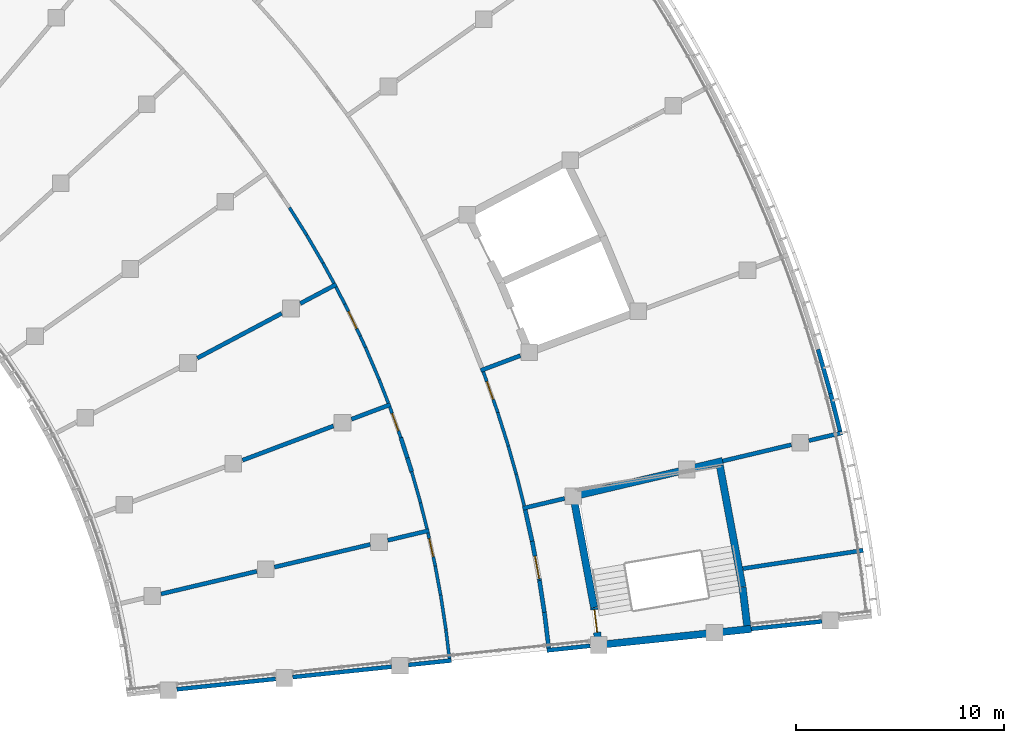
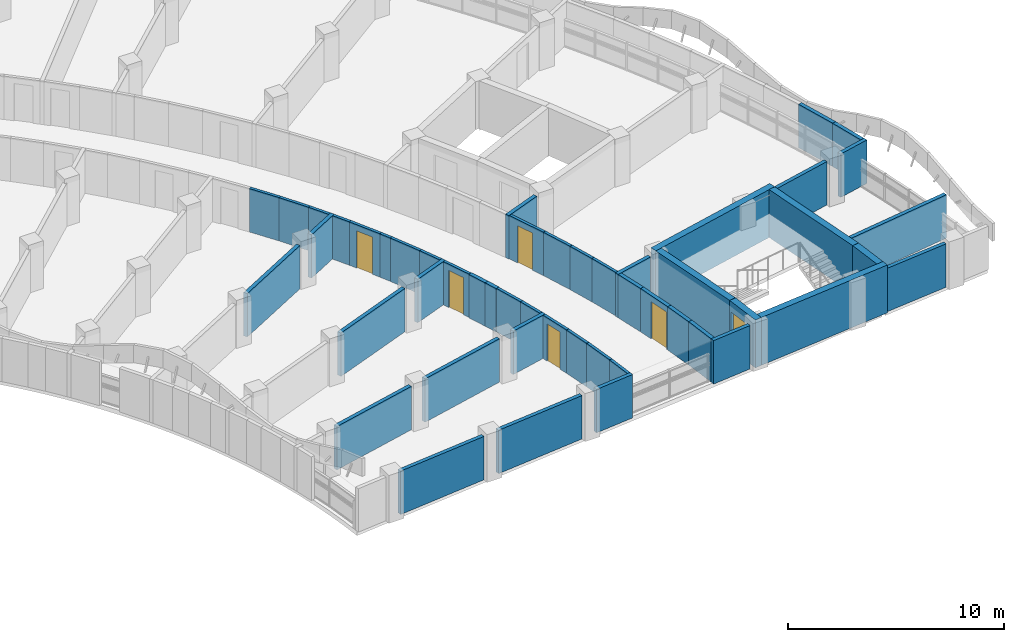
# One storey, part 52 of 89: 50 walls, 6 doors, 6 openings.
"""IFC4 building model written with IfcOpenShell, lengths in metres."""

from ifc_helpers import new_model, si_unit, direction, frame, frame_2d, origin, place, context, subcontext, project, spatial, rectangle, extrude, material, layer, layer_set, type_object, element, fill, save


model = new_model("IFC4")

# Units and contexts
model_context = context("Model", 3, precision=1e-05, world=origin(), true_north=direction((0.0, 1.0)))
body_context = subcontext(model_context, "Body", "Model", "MODEL_VIEW")
ifc_project = project(units=[si_unit("LENGTHUNIT", "METRE"), si_unit("AREAUNIT", "SQUARE_METRE"), si_unit("VOLUMEUNIT", "CUBIC_METRE"), si_unit("PLANEANGLEUNIT", "RADIAN"), si_unit("MASSUNIT", "GRAM", prefix="KILO")], contexts=[model_context])

# Site, building, storey
site_placement = place(None, origin())
site = spatial("IfcSite", under=ifc_project, at=site_placement, CompositionType="ELEMENT")
building_placement = place(site_placement, origin())
building = spatial("IfcBuilding", under=site, at=building_placement, Name="Bougainvillea Quay General Hospital", CompositionType="ELEMENT")
storey_placement = place(building_placement, frame((0.0, 0.0, 9.89990234375)))
storey = spatial("IfcBuildingStorey", under=building, at=storey_placement, Name="L01M", CompositionType="ELEMENT", Elevation=9.89990234375)

# Wall, opening, door
ifc_material_1 = material(Name="Gypsum board partition on steel studs, insulated", Category="steel")
ifc_layer_1 = layer(ifc_material_1, 0.14990234375)
ifc_layer_set_1 = layer_set([ifc_layer_1], Name="Gypsum board partition on steel studs, insulated")
wall_type_1 = type_object("IfcWallType", Name="Partition 150 Gypsum board partition EI 60", PredefinedType="PARTITIONING", material=ifc_layer_set_1)
wall_1_placement = place(storey_placement, frame((160.146240234375, 41.068115234375, 0.0), z_axis=(0.0, 0.0, 1.0), x_axis=(0.334170983673, -0.942512468708, 0.0)))
wall_1 = element("IfcWall", 1, at=wall_1_placement, inside=storey, type_object=wall_type_1, Name="Partition 150 mm EI 60", PredefinedType="PARTITIONING", context=body_context, shape_type="SweptSolid", body=[
    extrude(rectangle(XDim=2.079345703125, YDim=0.14990234375, at=frame_2d((1.03955078125, 0.0))), origin(), (0.0, 0.0, 1.0), 2.4501953125),
])
opening_1_placement = place(wall_1_placement, frame((0.5009765625, 0.0, 0.0)))
opening_1 = element("IfcOpeningElement", 2, at=opening_1_placement, cuts=wall_1, Name="Opening L01M.192", PredefinedType="OPENING", context=body_context, shape_type="SweptSolid", body=[
    extrude(rectangle(XDim=0.89990234375, YDim=2.10009765625, at=frame_2d((0.449951171875, 1.050048828125))), frame((0.0, 0.0849609375, 0.0), z_axis=(0.0, -1.0, 0.0), x_axis=(1.0, 0.0, 0.0)), (0.0, 0.0, 1.0), 0.169921875),
])
ifc_material_2 = material(Name="Solid-core timber door leaf in steel frame", Category="steel")
door_type_1 = type_object("IfcDoorType", Name="Single leaf door 900x2100 FD30S", OperationType="NOTDEFINED", PredefinedType="DOOR", material=ifc_material_2)
door_1_placement = place(opening_1_placement, origin())
door_1 = element("IfcDoor", 3, at=door_1_placement, inside=storey, type_object=door_type_1, Name="DT16 L01M.192", OperationType="SINGLE_SWING_LEFT", OverallHeight=2.10009765625, OverallWidth=0.89990234375, PredefinedType="DOOR", context=body_context, shape_type="SweptSolid", body=[
    extrude(rectangle(XDim=0.89990234375, YDim=2.10009765625, at=frame_2d((0.449951171875, 1.050048828125))), frame((0.0, 0.02490234375, 0.0), z_axis=(0.0, -1.0, 0.0), x_axis=(1.0, 0.0, 0.0)), (0.0, 0.0, 1.0), 0.050048828125),
])
fill(opening_1, door_1)

wall_2_placement = place(storey_placement, frame((155.650146484375, 39.376708984375, 0.0), z_axis=(0.0, 0.0, 1.0), x_axis=(0.336917703626, -0.941534099745, 0.0)))
wall_2 = element("IfcWall", 4, at=wall_2_placement, inside=storey, type_object=wall_type_1, Name="Partition 150 mm EI 60", PredefinedType="PARTITIONING", context=body_context, shape_type="SweptSolid", body=[
    extrude(rectangle(XDim=1.569580078125, YDim=0.14990234375, at=frame_2d((0.78466796875, 0.0))), origin(), (0.0, 0.0, 1.0), 2.4501953125),
])
opening_2_placement = place(wall_2_placement, frame((0.322998046875, 0.0, 0.0)))
opening_2 = element("IfcOpeningElement", 5, at=opening_2_placement, cuts=wall_2, Name="Opening L01M.199", PredefinedType="OPENING", context=body_context, shape_type="SweptSolid", body=[
    extrude(rectangle(XDim=0.89990234375, YDim=2.10009765625, at=frame_2d((0.449951171875, 1.050048828125))), frame((0.0, 0.0849609375, 0.0), z_axis=(0.0, -1.0, 0.0), x_axis=(1.0, 0.0, 0.0)), (0.0, 0.0, 1.0), 0.169921875),
])
door_2_placement = place(opening_2_placement, frame((0.89990234375, 0.0, 0.0), z_axis=(0.0, 0.0, 1.0), x_axis=(-1.0, 0.0, 0.0)))
door_2 = element("IfcDoor", 6, at=door_2_placement, inside=storey, type_object=door_type_1, Name="DT16 L01M.199", OperationType="SINGLE_SWING_RIGHT", OverallHeight=2.10009765625, OverallWidth=0.89990234375, PredefinedType="DOOR", context=body_context, shape_type="SweptSolid", body=[
    extrude(rectangle(XDim=0.89990234375, YDim=2.10009765625, at=frame_2d((0.449951171875, 1.050048828125))), frame((0.0, 0.02490234375, 0.0), z_axis=(0.0, -1.0, 0.0), x_axis=(1.0, 0.0, 0.0)), (0.0, 0.0, 1.0), 0.050048828125),
])
fill(opening_2, door_2)

# Wall
wall_3_placement = place(storey_placement, frame((160.837890625, 39.10986328125, 0.0), z_axis=(0.0, 0.0, 1.0), x_axis=(0.301408761049, -0.953495022935, 0.0)))
element("IfcWall", 7, at=wall_3_placement, inside=storey, type_object=wall_type_1, Name="Partition 150 mm EI 60", PredefinedType="PARTITIONING", context=body_context, shape_type="SweptSolid", body=[
    extrude(rectangle(XDim=1.684814453125, YDim=0.14990234375, at=frame_2d((0.84228515625, 0.0))), origin(), (0.0, 0.0, 1.0), 2.4501953125),
])

# Wall, opening, door
wall_4_placement = place(storey_placement, frame((157.48583984375, 33.32421875, 0.0), z_axis=(0.0, 0.0, 1.0), x_axis=(0.215136333434, -0.976584025078, 0.0)))
wall_4 = element("IfcWall", 8, at=wall_4_placement, inside=storey, type_object=wall_type_1, Name="Partition 150 mm EI 60", PredefinedType="PARTITIONING", context=body_context, shape_type="SweptSolid", body=[
    extrude(rectangle(XDim=1.62841796875, YDim=0.14990234375, at=frame_2d((0.814208984375, 0.0))), origin(), (0.0, 0.0, 1.0), 2.4501953125),
])
opening_3_placement = place(wall_4_placement, frame((0.276123046875, 0.0, 0.0)))
opening_3 = element("IfcOpeningElement", 9, at=opening_3_placement, cuts=wall_4, Name="Opening L01M.200", PredefinedType="OPENING", context=body_context, shape_type="SweptSolid", body=[
    extrude(rectangle(XDim=0.89990234375, YDim=2.10009765625, at=frame_2d((0.449951171875, 1.050048828125))), frame((0.0, 0.0849609375, 0.0), z_axis=(0.0, -1.0, 0.0), x_axis=(1.0, 0.0, 0.0)), (0.0, 0.0, 1.0), 0.169921875),
])
door_3_placement = place(opening_3_placement, frame((0.89990234375, 0.0, 0.0), z_axis=(0.0, 0.0, 1.0), x_axis=(-1.0, 0.0, 0.0)))
door_3 = element("IfcDoor", 10, at=door_3_placement, inside=storey, type_object=door_type_1, Name="DT16 L01M.200", OperationType="SINGLE_SWING_RIGHT", OverallHeight=2.10009765625, OverallWidth=0.89990234375, PredefinedType="DOOR", context=body_context, shape_type="SweptSolid", body=[
    extrude(rectangle(XDim=0.89990234375, YDim=2.10009765625, at=frame_2d((0.449951171875, 1.050048828125))), frame((0.0, 0.02490234375, 0.0), z_axis=(0.0, -1.0, 0.0), x_axis=(1.0, 0.0, 0.0)), (0.0, 0.0, 1.0), 0.050048828125),
])
fill(opening_3, door_3)

# Wall
wall_5_placement = place(storey_placement, frame((161.724609375, 36.15771484375, 0.0), z_axis=(0.0, 0.0, 1.0), x_axis=(0.245410822726, -0.969419170477, 0.0)))
element("IfcWall", 11, at=wall_5_placement, inside=storey, type_object=wall_type_1, Name="Partition 150 mm EI 60", PredefinedType="PARTITIONING", context=body_context, shape_type="SweptSolid", body=[
    extrude(rectangle(XDim=1.577880859375, YDim=0.14990234375, at=frame_2d((0.7890625, 0.0))), origin(), (0.0, 0.0, 1.0), 2.4501953125),
])

# Wall, opening, door
wall_6_placement = place(storey_placement, frame((153.486328125, 44.326416015625, 0.0), z_axis=(0.0, 0.0, 1.0), x_axis=(0.434737103628, -0.900557411123, 0.0)))
wall_6 = element("IfcWall", 12, at=wall_6_placement, inside=storey, type_object=wall_type_1, Name="Partition 150 mm EI 60", PredefinedType="PARTITIONING", context=body_context, shape_type="SweptSolid", body=[
    extrude(rectangle(XDim=1.712158203125, YDim=0.14990234375, at=frame_2d((0.85595703125, 0.0))), origin(), (0.0, 0.0, 1.0), 2.4501953125),
])
opening_4_placement = place(wall_6_placement, frame((0.406005859375, 0.0, 0.0)))
opening_4 = element("IfcOpeningElement", 13, at=opening_4_placement, cuts=wall_6, Name="Opening L01M.198", PredefinedType="OPENING", context=body_context, shape_type="SweptSolid", body=[
    extrude(rectangle(XDim=0.89990234375, YDim=2.10009765625, at=frame_2d((0.449951171875, 1.050048828125))), frame((0.0, 0.0849609375, 0.0), z_axis=(0.0, -1.0, 0.0), x_axis=(1.0, 0.0, 0.0)), (0.0, 0.0, 1.0), 0.169921875),
])
door_4_placement = place(opening_4_placement, frame((0.89990234375, 0.0, 0.0), z_axis=(0.0, 0.0, 1.0), x_axis=(-1.0, 0.0, 0.0)))
door_4 = element("IfcDoor", 14, at=door_4_placement, inside=storey, type_object=door_type_1, Name="DT16 L01M.198", OperationType="SINGLE_SWING_RIGHT", OverallHeight=2.10009765625, OverallWidth=0.89990234375, PredefinedType="DOOR", context=body_context, shape_type="SweptSolid", body=[
    extrude(rectangle(XDim=0.89990234375, YDim=2.10009765625, at=frame_2d((0.449951171875, 1.050048828125))), frame((0.0, 0.02490234375, 0.0), z_axis=(0.0, -1.0, 0.0), x_axis=(1.0, 0.0, 0.0)), (0.0, 0.0, 1.0), 0.050048828125),
])
fill(opening_4, door_4)

# Walls
wall_7_placement = place(storey_placement, frame((150.823486328125, 48.964599609375, 0.0), z_axis=(0.0, 0.0, 1.0), x_axis=(0.532033938753, -0.846723029104, 0.0)))
element("IfcWall", 15, at=wall_7_placement, inside=storey, type_object=wall_type_1, Name="Partition 150 mm EI 60", PredefinedType="PARTITIONING", context=body_context, shape_type="SweptSolid", body=[
    extrude(rectangle(XDim=1.5625, YDim=0.14990234375, at=frame_2d((0.78125, 0.0))), origin(), (0.0, 0.0, 1.0), 2.4501953125),
])
wall_8_placement = place(storey_placement, frame((151.651611328125, 47.64208984375, 0.0), z_axis=(0.0, 0.0, 1.0), x_axis=(0.504852542481, -0.863205601436, 0.0)))
element("IfcWall", 16, at=wall_8_placement, inside=storey, type_object=wall_type_1, Name="Partition 150 mm EI 60", PredefinedType="PARTITIONING", context=body_context, shape_type="SweptSolid", body=[
    extrude(rectangle(XDim=1.5615234375, YDim=0.14990234375, at=frame_2d((0.78076171875, 0.0))), origin(), (0.0, 0.0, 1.0), 2.4501953125),
])
wall_9_placement = place(storey_placement, frame((154.4755859375, 42.2509765625, 0.0), z_axis=(0.0, 0.0, 1.0), x_axis=(0.39252246645, -0.919742416839, 0.0)))
element("IfcWall", 17, at=wall_9_placement, inside=storey, type_object=wall_type_1, Name="Partition 150 mm EI 60", PredefinedType="PARTITIONING", context=body_context, shape_type="SweptSolid", body=[
    extrude(rectangle(XDim=1.709228515625, YDim=0.14990234375, at=frame_2d((0.8544921875, 0.0))), origin(), (0.0, 0.0, 1.0), 2.4501953125),
])
wall_10_placement = place(storey_placement, frame((158.092529296875, 30.34912109375, 0.0), z_axis=(0.0, 0.0, 1.0), x_axis=(0.15143450376, -0.98846729388, 0.0)))
element("IfcWall", 18, at=wall_10_placement, inside=storey, type_object=wall_type_1, Name="Partition 150 mm EI 60", PredefinedType="PARTITIONING", context=body_context, shape_type="SweptSolid", body=[
    extrude(rectangle(XDim=1.708984375, YDim=0.14990234375, at=frame_2d((0.8544921875, 0.0))), origin(), (0.0, 0.0, 1.0), 2.4501953125),
])
wall_11_placement = place(storey_placement, frame((156.7001953125, 36.266845703125, 0.0), z_axis=(0.0, 0.0, 1.0), x_axis=(0.27461755622, -0.961553533515, 0.0)))
element("IfcWall", 19, at=wall_11_placement, inside=storey, type_object=wall_type_1, Name="Partition 150 mm EI 60", PredefinedType="PARTITIONING", context=body_context, shape_type="SweptSolid", body=[
    extrude(rectangle(XDim=1.556640625, YDim=0.14990234375, at=frame_2d((0.7783203125, 0.0))), origin(), (0.0, 0.0, 1.0), 2.4501953125),
])
wall_12_placement = place(storey_placement, frame((157.833251953125, 31.735595703125, 0.0), z_axis=(0.0, 0.0, 1.0), x_axis=(0.182305830885, -0.98324187463, 0.0)))
element("IfcWall", 20, at=wall_12_placement, inside=storey, type_object=wall_type_1, Name="Partition 150 mm EI 60", PredefinedType="PARTITIONING", context=body_context, shape_type="SweptSolid", body=[
    extrude(rectangle(XDim=1.412841796875, YDim=0.14990234375, at=frame_2d((0.70654296875, 0.0))), origin(), (0.0, 0.0, 1.0), 2.4501953125),
])
wall_13_placement = place(storey_placement, frame((158.348876953125, 28.661865234375, 0.0), z_axis=(0.0, 0.0, 1.0), x_axis=(0.120710825959, -0.992687713481, 0.0)))
element("IfcWall", 21, at=wall_13_placement, inside=storey, type_object=wall_type_1, Name="Partition 150 mm EI 60", PredefinedType="PARTITIONING", context=body_context, shape_type="SweptSolid", body=[
    extrude(rectangle(XDim=1.38330078125, YDim=0.14990234375, at=frame_2d((0.691650390625, 0.0))), origin(), (0.0, 0.0, 1.0), 2.4501953125),
])
wall_14_placement = place(storey_placement, frame((161.3427734375, 37.5048828125, 0.0), z_axis=(0.0, 0.0, 1.0), x_axis=(0.271269927758, -0.962503312355, 0.0)))
element("IfcWall", 22, at=wall_14_placement, inside=storey, type_object=wall_type_1, Name="Partition 150 mm EI 60", PredefinedType="PARTITIONING", context=body_context, shape_type="SweptSolid", body=[
    extrude(rectangle(XDim=1.402099609375, YDim=0.14990234375, at=frame_2d((0.701171875, 0.0))), origin(), (0.0, 0.0, 1.0), 2.4501953125),
])
wall_15_placement = place(storey_placement, frame((157.124755859375, 34.771484375, 0.0), z_axis=(0.0, 0.0, 1.0), x_axis=(0.243871923503, -0.969807447346, 0.0)))
element("IfcWall", 23, at=wall_15_placement, inside=storey, type_object=wall_type_1, Name="Partition 150 mm EI 60", PredefinedType="PARTITIONING", context=body_context, shape_type="SweptSolid", body=[
    extrude(rectangle(XDim=1.289306640625, YDim=0.14990234375, at=frame_2d((0.64453125, 0.0))), origin(), (0.0, 0.0, 1.0), 2.4501953125),
])
wall_16_placement = place(storey_placement, frame((155.1435546875, 40.68017578125, 0.0), z_axis=(0.0, 0.0, 1.0), x_axis=(0.364060769127, -0.931375196354, 0.0)))
element("IfcWall", 24, at=wall_16_placement, inside=storey, type_object=wall_type_1, Name="Partition 150 mm EI 60", PredefinedType="PARTITIONING", context=body_context, shape_type="SweptSolid", body=[
    extrude(rectangle(XDim=1.1962890625, YDim=0.14990234375, at=frame_2d((0.59814453125, 0.0))), origin(), (0.0, 0.0, 1.0), 2.4501953125),
])
wall_17_placement = place(storey_placement, frame((152.43701171875, 46.294921875, 0.0), z_axis=(0.0, 0.0, 1.0), x_axis=(0.478945082738, -0.877844865407, 0.0)))
element("IfcWall", 25, at=wall_17_placement, inside=storey, type_object=wall_type_1, Name="Partition 150 mm EI 60", PredefinedType="PARTITIONING", context=body_context, shape_type="SweptSolid", body=[
    extrude(rectangle(XDim=1.10400390625, YDim=0.14990234375, at=frame_2d((0.552001953125, 0.0))), origin(), (0.0, 0.0, 1.0), 2.4501953125),
])
wall_18_placement = place(storey_placement, frame((153.060302734375, 45.1474609375, 0.0), z_axis=(0.0, 0.0, 1.0), x_axis=(0.458871039977, -0.888502880507, 0.0)))
element("IfcWall", 26, at=wall_18_placement, inside=storey, type_object=wall_type_1, Name="Partition 150 mm EI 60", PredefinedType="PARTITIONING", context=body_context, shape_type="SweptSolid", body=[
    extrude(rectangle(XDim=0.9267578125, YDim=0.14990234375, at=frame_2d((0.46337890625, 0.0))), origin(), (0.0, 0.0, 1.0), 2.4501953125),
])
wall_19_placement = place(storey_placement, frame((154.2294921875, 42.782958984375, 0.0), z_axis=(0.0, 0.0, 1.0), x_axis=(0.416740464078, -0.909025514273, 0.0)))
element("IfcWall", 27, at=wall_19_placement, inside=storey, type_object=wall_type_1, Name="Partition 150 mm EI 60", PredefinedType="PARTITIONING", context=body_context, shape_type="SweptSolid", body=[
    extrude(rectangle(XDim=0.588134765625, YDim=0.14990234375, at=frame_2d((0.2939453125, 0.0))), origin(), (0.0, 0.0, 1.0), 2.4501953125),
])
ifc_material_3 = material(Name="Fire-rated autoclaved aerated block wall, plastered")
ifc_layer_2 = layer(ifc_material_3, 0.199951171875)
ifc_layer_set_2 = layer_set([ifc_layer_2], Name="Fire-rated autoclaved aerated block wall, plastered")
wall_type_2 = type_object("IfcWallType", Name="Partition 200 Fire-rated autoclaved aerated block wall EI 120", PredefinedType="SOLIDWALL", material=ifc_layer_set_2)
wall_20_placement = place(storey_placement, frame((162.039794921875, 34.506103515625, 0.0), z_axis=(0.0, 0.0, 1.0), x_axis=(0.973117236519, 0.230310321066, 0.0)))
element("IfcWall", 28, at=wall_20_placement, inside=storey, type_object=wall_type_2, Name="Partition 200 mm EI 120", PredefinedType="SOLIDWALL", context=body_context, shape_type="SweptSolid", body=[
    extrude(rectangle(XDim=2.06591796875, YDim=0.199951171875, at=frame_2d((1.032958984375, 0.0))), origin(), (0.0, 0.0, 1.0), 2.4501953125),
])
wall_21_placement = place(storey_placement, frame((160.018310546875, 41.1298828125, 0.0), z_axis=(0.0, 0.0, 1.0), x_axis=(0.935835444075, 0.352437259115, 0.0)))
element("IfcWall", 29, at=wall_21_placement, inside=storey, type_object=wall_type_2, Name="Partition 200 mm EI 120", PredefinedType="SOLIDWALL", context=body_context, shape_type="SweptSolid", body=[
    extrude(rectangle(XDim=2.035888671875, YDim=0.199951171875, at=frame_2d((1.01806640625, 0.0))), origin(), (0.0, 0.0, 1.0), 2.4501953125),
])
wall_22_placement = place(storey_placement, frame((163.202392578125, 27.679443359375, 0.0), z_axis=(0.0, 0.0, 1.0), x_axis=(0.994514424739, 0.104599517143, 0.0)))
element("IfcWall", 30, at=wall_22_placement, inside=storey, type_object=wall_type_2, Name="Partition 200 mm EI 120", PredefinedType="SOLIDWALL", context=body_context, shape_type="SweptSolid", body=[
    extrude(rectangle(XDim=2.086669921875, YDim=0.199951171875, at=frame_2d((1.04345703125, 0.0))), origin(), (0.0, 0.0, 1.0), 2.4501953125),
])
wall_23_placement = place(storey_placement, frame((163.0810546875, 29.51220703125, 0.0), z_axis=(0.0, 0.0, 1.0), x_axis=(0.120377618692, -0.992728174738, 0.0)))
element("IfcWall", 31, at=wall_23_placement, inside=storey, type_object=wall_type_2, Name="Partition 200 mm EI 120", PredefinedType="SOLIDWALL", context=body_context, shape_type="SweptSolid", body=[
    extrude(rectangle(XDim=1.734130859375, YDim=0.199951171875, at=frame_2d((0.8671875, 0.0))), origin(), (0.0, 0.0, 1.0), 2.4501953125),
])

# Wall, opening, door
wall_24_placement = place(storey_placement, frame((162.49169921875, 32.932373046875, 0.0), z_axis=(0.0, 0.0, 1.0), x_axis=(0.183778259652, -0.982967726469, 0.0)))
wall_24 = element("IfcWall", 32, at=wall_24_placement, inside=storey, type_object=wall_type_2, Name="Partition 200 mm EI 120", PredefinedType="SOLIDWALL", context=body_context, shape_type="SweptSolid", body=[
    extrude(rectangle(XDim=1.935546875, YDim=0.199951171875, at=frame_2d((0.9677734375, 0.0))), origin(), (0.0, 0.0, 1.0), 2.4501953125),
])
opening_5_placement = place(wall_24_placement, frame((0.735595703125, 0.0, 0.0)))
opening_5 = element("IfcOpeningElement", 33, at=opening_5_placement, cuts=wall_24, Name="Opening L01M.223", PredefinedType="OPENING", context=body_context, shape_type="SweptSolid", body=[
    extrude(rectangle(XDim=1.10009765625, YDim=2.10009765625, at=frame_2d((0.550048828125, 1.050048828125))), frame((0.0, 0.10986328125, 0.0), z_axis=(0.0, -1.0, 0.0), x_axis=(1.0, 0.0, 0.0)), (0.0, 0.0, 1.0), 0.219970703125),
])
ifc_material_4 = material(Name="Steel fire door leaf in steel frame", Category="steel")
door_type_2 = type_object("IfcDoorType", Name="Steel single leaf door 1100x2100 FD60", OperationType="NOTDEFINED", PredefinedType="DOOR", material=ifc_material_4)
door_5_placement = place(opening_5_placement, origin())
door_5 = element("IfcDoor", 34, at=door_5_placement, inside=storey, type_object=door_type_2, Name="DT04 L01M.223", OperationType="SINGLE_SWING_RIGHT", OverallHeight=2.10009765625, OverallWidth=1.10009765625, PredefinedType="DOOR", context=body_context, shape_type="SweptSolid", body=[
    extrude(rectangle(XDim=1.10009765625, YDim=2.10009765625, at=frame_2d((0.550048828125, 1.050048828125))), frame((0.0, 0.02490234375, 0.0), z_axis=(0.0, -1.0, 0.0), x_axis=(1.0, 0.0, 0.0)), (0.0, 0.0, 1.0), 0.050048828125),
])
fill(opening_5, door_5)

# Walls
wall_25_placement = place(storey_placement, frame((162.15869140625, 34.4296875, 0.0), z_axis=(0.0, 0.0, 1.0), x_axis=(0.215079958229, -0.976596442533, 0.0)))
element("IfcWall", 35, at=wall_25_placement, inside=storey, type_object=wall_type_2, Name="Partition 200 mm EI 120", PredefinedType="SOLIDWALL", context=body_context, shape_type="SweptSolid", body=[
    extrude(rectangle(XDim=1.536865234375, YDim=0.199951171875, at=frame_2d((0.7685546875, 0.0))), origin(), (0.0, 0.0, 1.0), 2.4501953125),
])
wall_26_placement = place(storey_placement, frame((162.84375, 31.0322265625, 0.0), z_axis=(0.0, 0.0, 1.0), x_axis=(0.152211909299, -0.9883478814, 0.0)))
element("IfcWall", 36, at=wall_26_placement, inside=storey, type_object=wall_type_2, Name="Partition 200 mm EI 120", PredefinedType="SOLIDWALL", context=body_context, shape_type="SweptSolid", body=[
    extrude(rectangle(XDim=1.54150390625, YDim=0.199951171875, at=frame_2d((0.770751953125, 0.0))), origin(), (0.0, 0.0, 1.0), 2.4501953125),
])
ifc_layer_3 = layer(ifc_material_3, 0.199951171875)
ifc_layer_set_3 = layer_set([ifc_layer_3], Name="Fire-rated autoclaved aerated block wall, plastered")
wall_type_3 = type_object("IfcWallType", Name="Partition 200 Fire-rated autoclaved aerated block wall EI 60", PredefinedType="SOLIDWALL", material=ifc_layer_set_3)
for number, where, z_axis, x_axis, name in (
    (37, (145.413330078125, 25.80859375, 0.0), (0.0, 0.0, 1.0), (0.994512175388, 0.104620901375, 0.0), "Partition 200 mm EI 60"),
    (38, (150.982421875, 26.394287109375, 0.0), (0.0, 0.0, 1.0), (0.994512175388, 0.104620901375, 0.0), "Partition 200 mm EI 60"),
):
    element("IfcWall", number, at=place(storey_placement, frame(where, z_axis=z_axis, x_axis=x_axis)), inside=storey, type_object=wall_type_3, Name=name, PredefinedType="SOLIDWALL", context=body_context, shape_type="SweptSolid", body=[
        extrude(rectangle(XDim=4.7744140625, YDim=0.199951171875, at=frame_2d((2.38720703125, 0.0))), origin(), (0.0, 0.0, 1.0), 2.4501953125),
    ])
wall_27_placement = place(storey_placement, frame((156.55126953125, 26.97998046875, 0.0), z_axis=(0.0, 0.0, 1.0), x_axis=(0.994510640344, 0.104635492271, 0.0)))
element("IfcWall", 39, at=wall_27_placement, inside=storey, type_object=wall_type_3, Name="Partition 200 mm EI 60", PredefinedType="SOLIDWALL", context=body_context, shape_type="SweptSolid", body=[
    extrude(rectangle(XDim=2.0625, YDim=0.199951171875, at=frame_2d((1.03125, 0.0))), origin(), (0.0, 0.0, 1.0), 2.4501953125),
])
wall_28_placement = place(storey_placement, frame((144.654541015625, 30.3916015625, 0.0), z_axis=(0.0, 0.0, 1.0), x_axis=(0.973130199037, 0.230255544391, 0.0)))
element("IfcWall", 40, at=wall_28_placement, inside=storey, type_object=wall_type_3, Name="Partition 200 mm EI 60", PredefinedType="SOLIDWALL", context=body_context, shape_type="SweptSolid", body=[
    extrude(rectangle(XDim=4.732177734375, YDim=0.199951171875, at=frame_2d((2.3662109375, 0.0))), origin(), (0.0, 0.0, 1.0), 2.4501953125),
])
wall_29_placement = place(storey_placement, frame((150.1044921875, 31.681396484375, 0.0), z_axis=(0.0, 0.0, 1.0), x_axis=(0.973119254579, 0.230301794103, 0.0)))
element("IfcWall", 41, at=wall_29_placement, inside=storey, type_object=wall_type_3, Name="Partition 200 mm EI 60", PredefinedType="SOLIDWALL", context=body_context, shape_type="SweptSolid", body=[
    extrude(rectangle(XDim=4.731201171875, YDim=0.199951171875, at=frame_2d((2.36572265625, 0.0))), origin(), (0.0, 0.0, 1.0), 2.4501953125),
])
wall_30_placement = place(storey_placement, frame((155.5537109375, 32.970947265625, 0.0), z_axis=(0.0, 0.0, 1.0), x_axis=(0.973136812623, 0.230227591564, 0.0)))
element("IfcWall", 42, at=wall_30_placement, inside=storey, type_object=wall_type_3, Name="Partition 200 mm EI 60", PredefinedType="SOLIDWALL", context=body_context, shape_type="SweptSolid", body=[
    extrude(rectangle(XDim=2.0380859375, YDim=0.199951171875, at=frame_2d((1.01904296875, 0.0))), origin(), (0.0, 0.0, 1.0), 2.4501953125),
])
wall_31_placement = place(storey_placement, frame((148.5673828125, 36.81884765625, 0.0), z_axis=(0.0, 0.0, 1.0), x_axis=(0.935890315161, 0.352291524151, 0.0)))
element("IfcWall", 43, at=wall_31_placement, inside=storey, type_object=wall_type_3, Name="Partition 200 mm EI 60", PredefinedType="SOLIDWALL", context=body_context, shape_type="SweptSolid", body=[
    extrude(rectangle(XDim=4.671630859375, YDim=0.199951171875, at=frame_2d((2.3359375, 0.0))), origin(), (0.0, 0.0, 1.0), 2.4501953125),
])
wall_32_placement = place(storey_placement, frame((153.80859375, 38.791748046875, 0.0), z_axis=(0.0, 0.0, 1.0), x_axis=(0.935933502456, 0.352176772345, 0.0)))
element("IfcWall", 44, at=wall_32_placement, inside=storey, type_object=wall_type_3, Name="Partition 200 mm EI 60", PredefinedType="SOLIDWALL", context=body_context, shape_type="SweptSolid", body=[
    extrude(rectangle(XDim=2.006103515625, YDim=0.199951171875, at=frame_2d((1.0029296875, 0.0))), origin(), (0.0, 0.0, 1.0), 2.4501953125),
])
wall_33_placement = place(storey_placement, frame((146.39697265625, 41.727783203125, 0.0), z_axis=(0.0, 0.0, 1.0), x_axis=(0.883447425227, 0.468530305167, 0.0)))
element("IfcWall", 45, at=wall_33_placement, inside=storey, type_object=wall_type_3, Name="Partition 200 mm EI 60", PredefinedType="SOLIDWALL", context=body_context, shape_type="SweptSolid", body=[
    extrude(rectangle(XDim=4.590087890625, YDim=0.199951171875, at=frame_2d((2.294921875, 0.0))), origin(), (0.0, 0.0, 1.0), 2.4501953125),
])
wall_34_placement = place(storey_placement, frame((151.343994140625, 44.351318359375, 0.0), z_axis=(0.0, 0.0, 1.0), x_axis=(0.883437172675, 0.468549636576, 0.0)))
element("IfcWall", 46, at=wall_34_placement, inside=storey, type_object=wall_type_3, Name="Partition 200 mm EI 60", PredefinedType="SOLIDWALL", context=body_context, shape_type="SweptSolid", body=[
    extrude(rectangle(XDim=1.96533203125, YDim=0.199951171875, at=frame_2d((0.982666015625, 0.0))), origin(), (0.0, 0.0, 1.0), 2.4501953125),
])
wall_35_placement = place(storey_placement, frame((171.6494140625, 36.781005859375, 0.0), z_axis=(0.0, 0.0, 1.0), x_axis=(0.973102800696, 0.230371307408, 0.0)))
element("IfcWall", 47, at=wall_35_placement, inside=storey, type_object=wall_type_3, Name="Partition 200 mm EI 60", PredefinedType="SOLIDWALL", context=body_context, shape_type="SweptSolid", body=[
    extrude(rectangle(XDim=3.391357421875, YDim=0.199951171875, at=frame_2d((1.69580078125, 0.0))), origin(), (0.0, 0.0, 1.0), 2.4501953125),
])
wall_36_placement = place(storey_placement, frame((175.794677734375, 37.76220703125, 0.0), z_axis=(0.0, 0.0, 1.0), x_axis=(0.973092427452, 0.230415120242, 0.0)))
element("IfcWall", 48, at=wall_36_placement, inside=storey, type_object=wall_type_3, Name="Partition 200 mm EI 60", PredefinedType="SOLIDWALL", context=body_context, shape_type="SweptSolid", body=[
    extrude(rectangle(XDim=1.661376953125, YDim=0.199951171875, at=frame_2d((0.83056640625, 0.0))), origin(), (0.0, 0.0, 1.0), 2.4501953125),
])
wall_37_placement = place(storey_placement, frame((173.02294921875, 28.71240234375, 0.0), z_axis=(0.0, 0.0, 1.0), x_axis=(0.994507412806, 0.10466616394, 0.0)))
element("IfcWall", 49, at=wall_37_placement, inside=storey, type_object=wall_type_3, Name="Partition 200 mm EI 60", PredefinedType="SOLIDWALL", context=body_context, shape_type="SweptSolid", body=[
    extrude(rectangle(XDim=3.41259765625, YDim=0.199951171875, at=frame_2d((1.706298828125, 0.0))), origin(), (0.0, 0.0, 1.0), 2.4501953125),
])
wall_38_placement = place(storey_placement, frame((172.6181640625, 31.611328125, 0.0), z_axis=(0.0, 0.0, 1.0), x_axis=(0.988673304957, 0.150083630239, 0.0)))
element("IfcWall", 50, at=wall_38_placement, inside=storey, type_object=wall_type_3, Name="Partition 200 mm EI 60", PredefinedType="SOLIDWALL", context=body_context, shape_type="SweptSolid", body=[
    extrude(rectangle(XDim=5.847900390625, YDim=0.199951171875, at=frame_2d((2.923828125, 0.0))), origin(), (0.0, 0.0, 1.0), 2.4501953125),
])
wall_39_placement = place(storey_placement, frame((176.233642578125, 42.146728515625, 0.0), z_axis=(0.0, 0.0, 1.0), x_axis=(0.274033199124, -0.961720232592, 0.0)))
element("IfcWall", 51, at=wall_39_placement, inside=storey, type_object=wall_type_3, Name="Partition 200 mm EI 60", PredefinedType="SOLIDWALL", context=body_context, shape_type="SweptSolid", body=[
    extrude(rectangle(XDim=2.203125, YDim=0.199951171875, at=frame_2d((1.1015625, 0.0))), origin(), (0.0, 0.0, 1.0), 2.4501953125),
])
wall_40_placement = place(storey_placement, frame((176.833740234375, 40.02978515625, 0.0), z_axis=(0.0, 0.0, 1.0), x_axis=(0.244136086298, -0.969740981586, 0.0)))
element("IfcWall", 52, at=wall_40_placement, inside=storey, type_object=wall_type_3, Name="Partition 200 mm EI 60", PredefinedType="SOLIDWALL", context=body_context, shape_type="SweptSolid", body=[
    extrude(rectangle(XDim=1.865966796875, YDim=0.199951171875, at=frame_2d((0.93310546875, 0.0))), origin(), (0.0, 0.0, 1.0), 2.4501953125),
])
wall_41_placement = place(storey_placement, frame((156.181884765625, 37.8974609375, 0.0), z_axis=(0.0, 0.0, 1.0), x_axis=(0.306630924088, -0.95182849106, 0.0)))
element("IfcWall", 53, at=wall_41_placement, inside=storey, type_object=wall_type_3, Name="Partition 200 mm EI 60", PredefinedType="SOLIDWALL", context=body_context, shape_type="SweptSolid", body=[
    extrude(rectangle(XDim=1.016845703125, YDim=0.199951171875, at=frame_2d((0.50830078125, 0.0))), origin(), (0.0, 0.0, 1.0), 2.4501953125),
])
wall_42_placement = place(storey_placement, frame((156.493408203125, 36.92919921875, 0.0), z_axis=(0.0, 0.0, 1.0), x_axis=(0.301046913141, -0.953609330957, 0.0)))
element("IfcWall", 54, at=wall_42_placement, inside=storey, type_object=wall_type_3, Name="Partition 200 mm EI 60", PredefinedType="SOLIDWALL", context=body_context, shape_type="SweptSolid", body=[
    extrude(rectangle(XDim=0.691650390625, YDim=0.199951171875, at=frame_2d((0.345703125, 0.0))), origin(), (0.0, 0.0, 1.0), 2.4501953125),
])
ifc_material_5 = material(Name="Concrete C40", Category="concrete")
ifc_layer_4 = layer(ifc_material_5, 0.35009765625)
ifc_layer_set_4 = layer_set([ifc_layer_4], Name="Concrete C40")
wall_type_4 = type_object("IfcWallType", Name="RC SHEAR WALL 350 C40", PredefinedType="SHEAR", material=ifc_layer_set_4)
wall_43_placement = place(storey_placement, frame((164.302734375, 35.041748046875, 0.0), z_axis=(0.0, 0.0, 1.0), x_axis=(0.973093454504, 0.230410782737, 0.0)))
element("IfcWall", 55, at=wall_43_placement, inside=storey, type_object=wall_type_4, Name="Shear wall L01M", PredefinedType="SHEAR", context=body_context, shape_type="SweptSolid", body=[
    extrude(rectangle(XDim=7.549560546875, YDim=0.35009765625, at=frame_2d((3.77490234375, 0.0))), origin(), (0.0, 0.0, 1.0), 2.7001953125),
])

# Wall, opening, door
wall_44_placement = place(storey_placement, frame((165.470703125, 29.734375, 0.0), z_axis=(0.0, 0.0, 1.0), x_axis=(0.12025777275, -0.992742699844, 0.0)))
wall_44 = element("IfcWall", 56, at=wall_44_placement, inside=storey, type_object=wall_type_4, Name="Shear wall L01M", PredefinedType="SHEAR", context=body_context, shape_type="SweptSolid", body=[
    extrude(rectangle(XDim=1.9814453125, YDim=0.35009765625, at=frame_2d((0.99072265625, 0.0))), origin(), (0.0, 0.0, 1.0), 2.7001953125),
])
opening_6_placement = place(wall_44_placement, frame((0.10009765625, 0.0, 0.0)))
opening_6 = element("IfcOpeningElement", 57, at=opening_6_placement, cuts=wall_44, Name="Opening L01M.222", PredefinedType="OPENING", context=body_context, shape_type="SweptSolid", body=[
    extrude(rectangle(XDim=1.10009765625, YDim=2.10009765625, at=frame_2d((0.550048828125, 1.050048828125))), frame((0.0, 0.18505859375, 0.0), z_axis=(0.0, -1.0, 0.0), x_axis=(1.0, 0.0, 0.0)), (0.0, 0.0, 1.0), 0.3701171875),
])
door_6_placement = place(opening_6_placement, origin())
door_6 = element("IfcDoor", 58, at=door_6_placement, inside=storey, type_object=door_type_2, Name="DT04 L01M.222", OperationType="SINGLE_SWING_LEFT", OverallHeight=2.10009765625, OverallWidth=1.10009765625, PredefinedType="DOOR", context=body_context, shape_type="SweptSolid", body=[
    extrude(rectangle(XDim=1.10009765625, YDim=2.10009765625, at=frame_2d((0.550048828125, 1.050048828125))), frame((0.0, 0.02490234375, 0.0), z_axis=(0.0, -1.0, 0.0), x_axis=(1.0, 0.0, 0.0)), (0.0, 0.0, 1.0), 0.050048828125),
])
fill(opening_6, door_6)

# Walls
wall_45_placement = place(storey_placement, frame((165.468994140625, 29.74560546875, 0.0), z_axis=(0.0, 0.0, 1.0), x_axis=(-0.183471964923, 0.98302494276, 0.0)))
element("IfcWall", 59, at=wall_45_placement, inside=storey, type_object=wall_type_4, Name="Shear wall L01M", PredefinedType="SHEAR", context=body_context, shape_type="SweptSolid", body=[
    extrude(rectangle(XDim=5.25341796875, YDim=0.35009765625, at=frame_2d((2.626708984375, 0.0))), origin(), (0.0, 0.0, 1.0), 2.7001953125),
])
wall_46_placement = place(storey_placement, frame((165.862060546875, 27.959228515625, 0.0), z_axis=(0.0, 0.0, 1.0), x_axis=(0.99451418157, 0.104601829128, 0.0)))
element("IfcWall", 60, at=wall_46_placement, inside=storey, type_object=wall_type_4, Name="Shear wall L01M", PredefinedType="SHEAR", context=body_context, shape_type="SweptSolid", body=[
    extrude(rectangle(XDim=7.200439453125, YDim=0.35009765625, at=frame_2d((3.60009765625, 0.0))), origin(), (0.0, 0.0, 1.0), 2.7001953125),
])
wall_47_placement = place(storey_placement, frame((172.603759765625, 30.715576171875, 0.0), z_axis=(0.0, 0.0, 1.0), x_axis=(0.120401871373, -0.992725233572, 0.0)))
element("IfcWall", 61, at=wall_47_placement, inside=storey, type_object=wall_type_4, Name="Shear wall L01M", PredefinedType="SHEAR", context=body_context, shape_type="SweptSolid", body=[
    extrude(rectangle(XDim=1.861328125, YDim=0.35009765625, at=frame_2d((0.9306640625, 0.0))), origin(), (0.0, 0.0, 1.0), 2.7001953125),
])
wall_48_placement = place(storey_placement, frame((172.60205078125, 30.7265625, 0.0), z_axis=(0.0, 0.0, 1.0), x_axis=(-0.18353204361, 0.983013727762, 0.0)))
element("IfcWall", 62, at=wall_48_placement, inside=storey, type_object=wall_type_4, Name="Shear wall L01M", PredefinedType="SHEAR", context=body_context, shape_type="SweptSolid", body=[
    extrude(rectangle(XDim=5.943603515625, YDim=0.35009765625, at=frame_2d((2.9716796875, 0.0))), origin(), (0.0, 0.0, 1.0), 2.7001953125),
])

save(model, "model.ifc")
